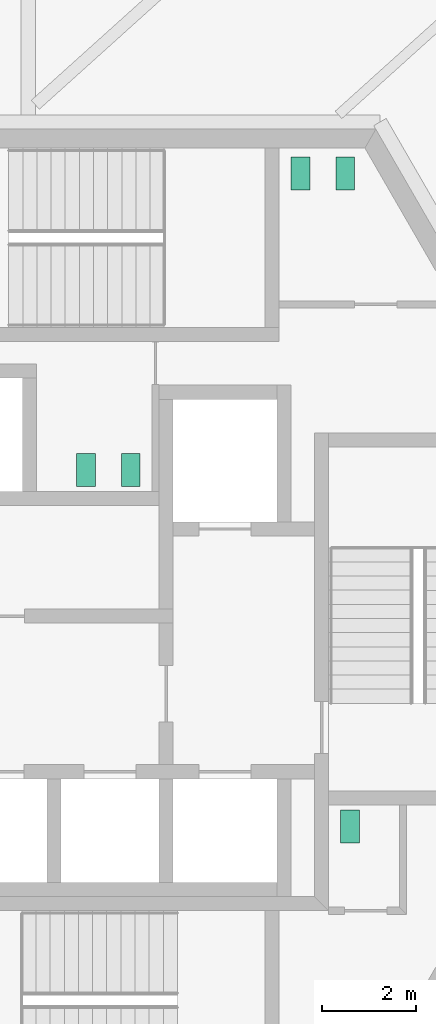
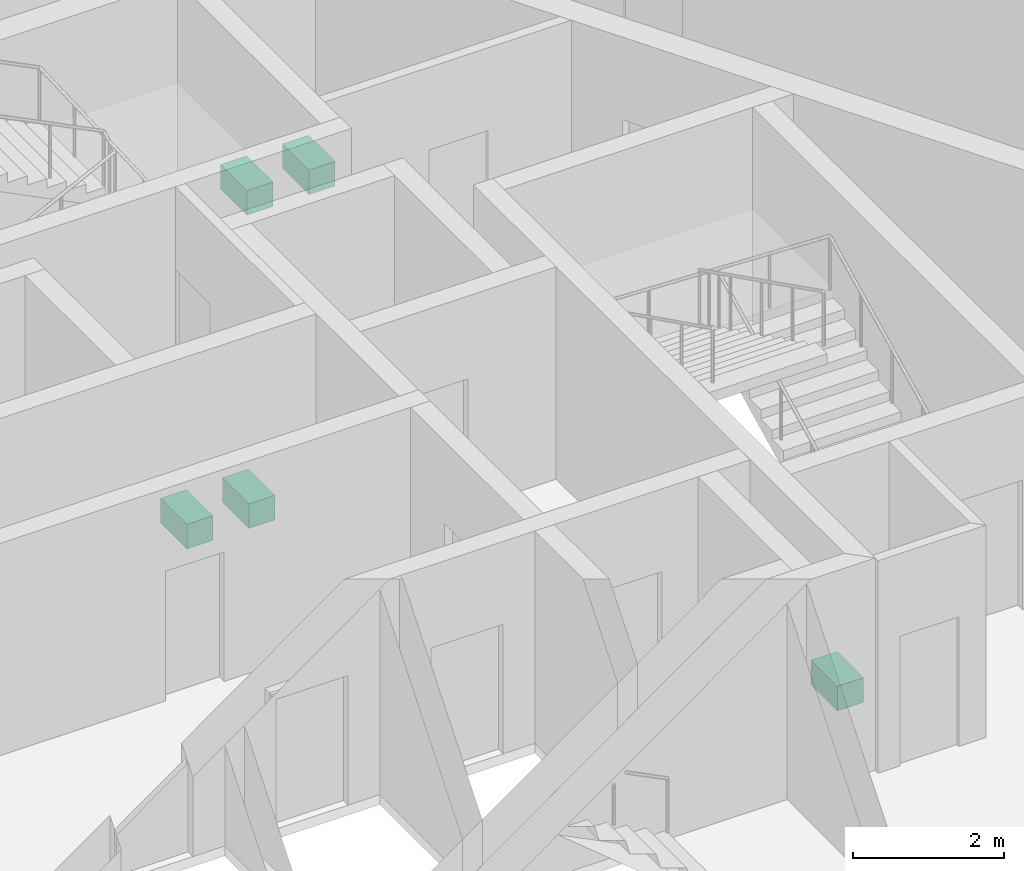
# One storey, part 15 of 15: 5 sanitary terminals.
"""IFC4 building model written with IfcOpenShell, lengths in metres."""

from ifc_helpers import new_model, si_unit, direction, frame, origin, origin_2d, place, context, subcontext, project, spatial, rectangle, extrude, source, transform, mapped, material, element, save


model = new_model("IFC4")

# Units and contexts
model_context = context("Model", 3, precision=1e-05, world=origin(), true_north=direction((0.0, 1.0)))
body_context = subcontext(model_context, "Body", "Model", "MODEL_VIEW")
ifc_project = project(units=[si_unit("LENGTHUNIT", "METRE"), si_unit("AREAUNIT", "SQUARE_METRE"), si_unit("VOLUMEUNIT", "CUBIC_METRE"), si_unit("PLANEANGLEUNIT", "RADIAN"), si_unit("MASSUNIT", "GRAM", prefix="KILO")], contexts=[model_context])

# Site, building, storey
site_placement = place(None, origin())
site = spatial("IfcSite", under=ifc_project, at=site_placement, CompositionType="ELEMENT")
building_placement = place(site_placement, origin())
building = spatial("IfcBuilding", under=site, at=building_placement, Name="Triune Harvest Tower", CompositionType="ELEMENT")
storey_placement = place(building_placement, frame((0.0, 0.0, 277.5)))
storey = spatial("IfcBuildingStorey", under=building, at=storey_placement, Name="L73", CompositionType="ELEMENT", Elevation=277.5)

# Sanitary terminals
ifc_material = material(Name="Vitreous china")
shared_shape = source(origin(), body_context, "Body", "SweptSolid", [
    extrude(rectangle(XDim=0.39990234375, YDim=0.699951171875, at=origin_2d()), origin(), (0.0, 0.0, 1.0), 0.39990234375),
])
for number, where, z_axis, x_axis, name in (
    (1, (4.39990234375, 9.449951171875, 0.0), (0.0, 0.0, 1.0), (1.0, 0.0, 0.0), "Toilet pan L73.c01"),
    (2, (5.35009765625, 9.449951171875, 0.0), (0.0, 0.0, 1.0), (1.0, 0.0, 0.0), "Toilet pan L73.c02"),
    (3, (0.800048828125, 3.159912109375, 0.0), (0.0, 0.0, 1.0), (-1.0, 0.0, 0.0), "Toilet pan L73.c03"),
    (4, (-0.14990234375, 3.159912109375, 0.0), (0.0, 0.0, 1.0), (-1.0, 0.0, 0.0), "Toilet pan L73.c04"),
    (5, (5.449951171875, -4.39990234375, 0.0), (0.0, 0.0, 1.0), (1.0, 0.0, 0.0), "Toilet pan L73.c05"),
):
    element("IfcSanitaryTerminal", number, at=place(storey_placement, frame(where, z_axis=z_axis, x_axis=x_axis)), inside=storey, material=ifc_material, Name=name, PredefinedType="TOILETPAN", context=body_context, shape_type="MappedRepresentation", body=[
        mapped(shared_shape, transform((0.0, 0.0, 0.0), scale=1.0)),
    ])

save(model, "model.ifc")
